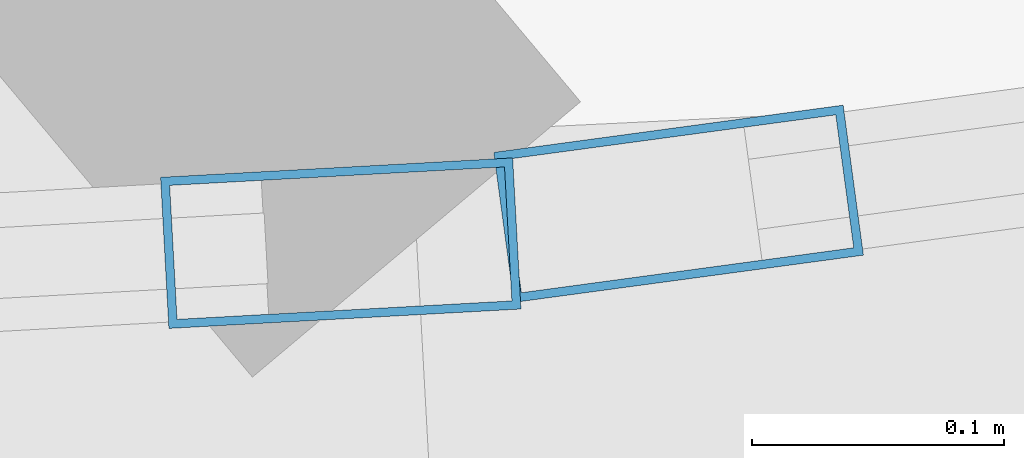
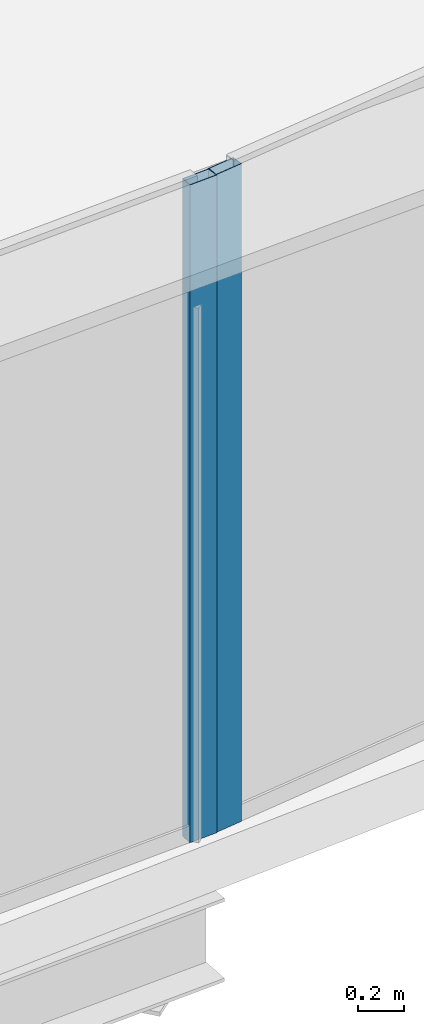
# One storey, part 12 of 34: 2 members, 2 elements without a shape of their own.
"""IFC4 building model written with IfcOpenShell, lengths in metres."""

from ifc_helpers import new_model, si_unit, direction, frame, origin, origin_2d, place, context, subcontext, project, spatial, hollow_rectangle, extrude, source, transform, mapped, material, layer, layer_set, material_profile, profile_set, type_object, element, aggregate, save


model = new_model("IFC4")

# Units and contexts
model_context = context("Model", 3, precision=1e-05, world=origin(), true_north=direction((0.0, 1.0)))
body_context = subcontext(model_context, "Body", "Model", "MODEL_VIEW")
ifc_project = project(units=[si_unit("LENGTHUNIT", "METRE"), si_unit("AREAUNIT", "SQUARE_METRE"), si_unit("VOLUMEUNIT", "CUBIC_METRE"), si_unit("PLANEANGLEUNIT", "RADIAN"), si_unit("MASSUNIT", "GRAM", prefix="KILO"), si_unit("THERMODYNAMICTEMPERATUREUNIT", "KELVIN"), si_unit("POWERUNIT", "WATT")], contexts=[model_context])

# Site, building, storey
site_placement = place(None, origin())
site = spatial("IfcSite", under=ifc_project, at=site_placement, CompositionType="ELEMENT")
building_placement = place(site_placement, origin())
building = spatial("IfcBuilding", under=site, at=building_placement, Name="Yunzhuo Pagoda Commons", CompositionType="ELEMENT")
storey_placement = place(building_placement, frame((0.0, 0.0, 229.610107421875)))
storey = spatial("IfcBuildingStorey", under=building, at=storey_placement, Name="L57", CompositionType="ELEMENT", Elevation=229.610107421875)

# Curtain wall, member
ifc_material = material(Name="Anodized aluminium 6063-T6", Category="aluminium")
ifc_layer = layer(ifc_material, 0.139892578125)
ifc_layer_set = layer_set([ifc_layer], Name="Anodized aluminium 6063-T6")
curtain_wall_type = type_object("IfcCurtainWallType", Name="CW-HI High-Zone Ribbon Curtain Wall", PredefinedType="NOTDEFINED", material=ifc_layer_set)
curtain_wall_1_placement = place(storey_placement, origin())
curtain_wall_1 = element("IfcCurtainWall", 1, at=curtain_wall_1_placement, inside=storey, type_object=curtain_wall_type, Name="L57 curtain wall CW-L57-F1B4", PredefinedType="NOTDEFINED")
ifc_material_profile = material_profile(ifc_material, hollow_rectangle(XDim=0.06005859375, YDim=0.139892578125, WallThickness=0.00341796875, at=origin_2d()), Name="Anodized aluminium 6063-T6")
ifc_profile_set = profile_set([ifc_material_profile], Name="Anodized aluminium 6063-T6")
member_type = type_object("IfcMemberType", Name="CW-HI-M Mullion RHS 140x60x3.5", PredefinedType="MULLION", material=ifc_profile_set)
shared_shape = source(origin(), body_context, "Body", "SweptSolid", [
    extrude(hollow_rectangle(XDim=0.06005859375, YDim=0.139892578125, WallThickness=0.00341796875, at=origin_2d()), origin(), (0.0, 0.0, 1.0), 3.469970703125),
])
member_1_placement = place(storey_placement, frame((62.5927734375, 16.27197265625, 0.0), z_axis=(0.0, 0.0, 1.0), x_axis=(-0.054981193813, 0.998487390169, 0.0)))
member_1 = element("IfcMember", 2, at=member_1_placement, type_object=member_type, Name="CW mullion 2", PredefinedType="MULLION", context=body_context, shape_type="MappedRepresentation", body=[
    mapped(shared_shape, transform((0.0, 0.0, 0.0), scale=1.0)),
])
aggregate(curtain_wall_1, [member_1])

curtain_wall_2_placement = place(storey_placement, origin())
curtain_wall_2 = element("IfcCurtainWall", 3, at=curtain_wall_2_placement, inside=storey, type_object=curtain_wall_type, Name="L57 curtain wall CW-L57-F1B5", PredefinedType="NOTDEFINED")
member_2_placement = place(storey_placement, frame((62.726806640625, 16.28759765625, 0.0), z_axis=(0.0, 0.0, 1.0), x_axis=(-0.133929585963, 0.990990850616, 0.0)))
member_2 = element("IfcMember", 4, at=member_2_placement, type_object=member_type, Name="CW mullion 1", PredefinedType="MULLION", context=body_context, shape_type="MappedRepresentation", body=[
    mapped(shared_shape, transform((0.0, 0.0, 0.0), scale=1.0)),
])
aggregate(curtain_wall_2, [member_2])

save(model, "model.ifc")
